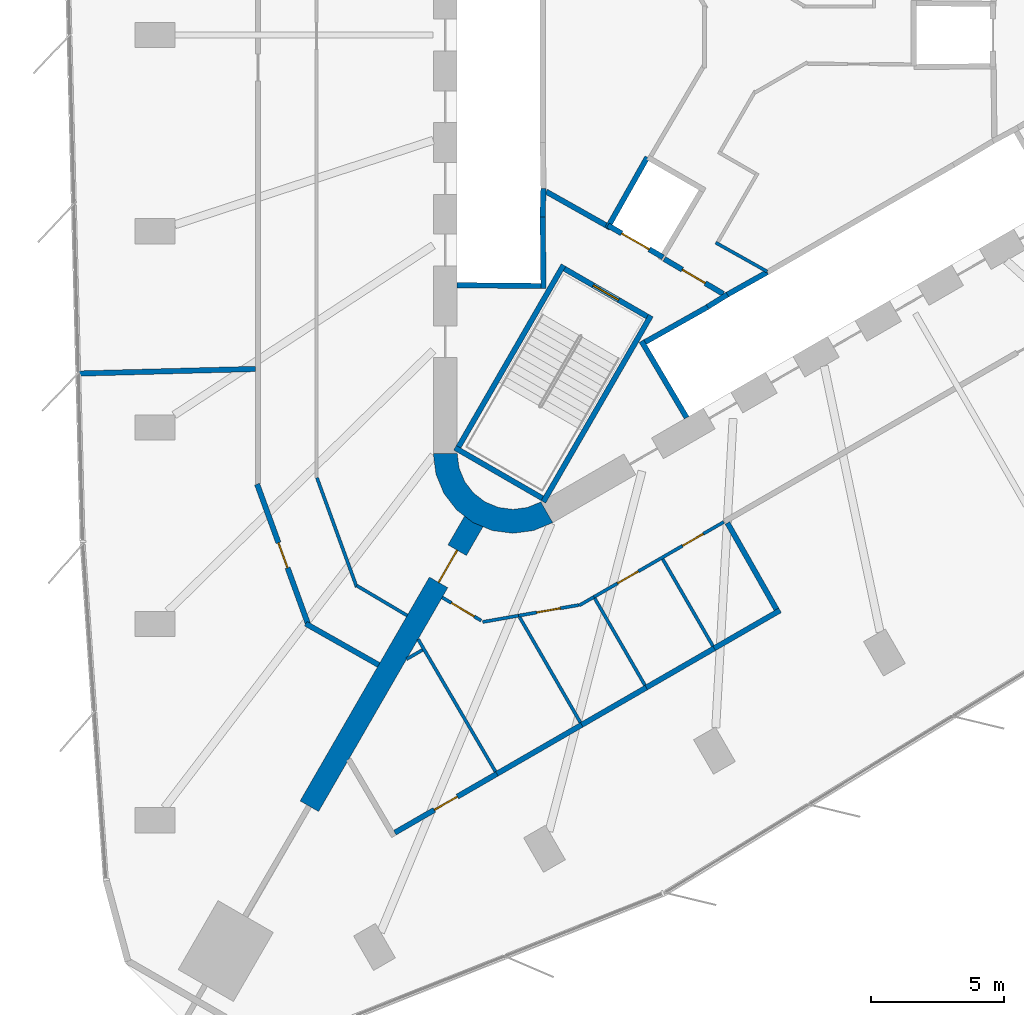
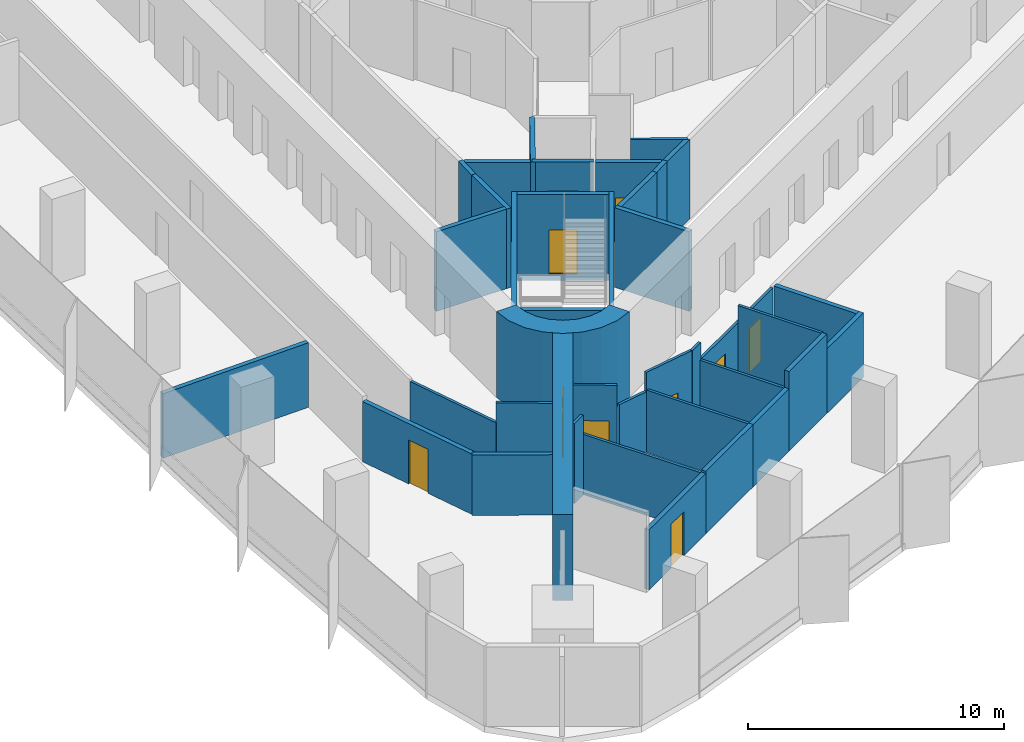
# One storey, part 8 of 14: 39 walls, 10 doors, 10 openings.
"""IFC4 building model written with IfcOpenShell, lengths in metres."""

import ifcopenshell
import ifcopenshell.guid

model = None  # the IFC model being written
_history = None  # IfcOwnerHistory: only IFC2X3 demands one
_inside = {}  # id of a spatial element -> (the spatial element, [elements in it])
_under = {}  # id of a project, library or spatial element -> (it, [spatial elements below it])
_declared = {}  # id of a project -> (the project, [libraries it declares])
_typed = {}  # id of a type object -> (the type object, [elements of that type])
_made_of = {}  # id of a material, layer set ... -> (it, [elements and type objects made of it])


def new_model(schema):
    """Start an empty IFC model of exactly this schema.

    Asked for "IFC4X3", IfcOpenShell would pick the latest addendum, in which some entities
    have other attributes; the version numbers below select the first issue.
    IFC2X3 requires an IfcOwnerHistory on every rooted entity: one is made here for all.
    """
    global model, _history
    if schema == "IFC4X3":
        model = ifcopenshell.file(schema_version=(4, 3, 0, 0))
    else:
        model = ifcopenshell.file(schema=schema)
    _inside.clear()
    _under.clear()
    _declared.clear()
    _typed.clear()
    _made_of.clear()
    _history = None
    if model.schema == "IFC2X3":
        org = make("IfcOrganization", Name="unknown")
        user = make(
            "IfcPersonAndOrganization",
            ThePerson=make("IfcPerson", FamilyName="unknown"),
            TheOrganization=org,
        )
        app = make(
            "IfcApplication",
            ApplicationDeveloper=org,
            Version="unknown",
            ApplicationFullName="unknown",
            ApplicationIdentifier="unknown",
        )
        _history = make(
            "IfcOwnerHistory",
            OwningUser=user,
            OwningApplication=app,
            ChangeAction="ADDED",
            CreationDate=0,
        )
    return model


def make(cls, **values):
    """One entity of the class cls with the attributes given. An attribute that is None is left unset."""
    return model.create_entity(
        cls, **{name: value for name, value in values.items() if value is not None}
    )


def rooted(cls, **values):
    """An entity with a GlobalId (a new one), such as an element, a storey or a relation."""
    return make(cls, GlobalId=ifcopenshell.guid.new(), OwnerHistory=_history, **values)


def si_unit(unit_type, name, prefix=None):
    """IfcSIUnit, for example si_unit("LENGTHUNIT", "METRE", prefix="MILLI")."""
    return make("IfcSIUnit", UnitType=unit_type, Prefix=prefix, Name=name)


def assignment(units):
    """IfcUnitAssignment: the units of a project."""
    return None if units is None else make("IfcUnitAssignment", Units=units)


def point(xyz):
    """IfcCartesianPoint."""
    return None if xyz is None else make("IfcCartesianPoint", Coordinates=xyz)


def direction(xyz):
    """IfcDirection."""
    return None if xyz is None else make("IfcDirection", DirectionRatios=xyz)


def frame(location, z_axis=None, x_axis=None):
    """IfcAxis2Placement3D, a coordinate frame: its origin and axes. An axis left out is left unset."""
    return make(
        "IfcAxis2Placement3D",
        Location=point(location),
        Axis=direction(z_axis),
        RefDirection=direction(x_axis),
    )


def frame_2d(location, x_axis=None):
    """IfcAxis2Placement2D, a coordinate frame in the plane: its origin and x axis."""
    return make(
        "IfcAxis2Placement2D", Location=point(location), RefDirection=direction(x_axis)
    )


def origin():
    """The frame at (0, 0, 0) with its axes left unset."""
    return frame((0.0, 0.0, 0.0))


def place(relative_to, where):
    """IfcLocalPlacement: puts the frame where relative to a parent placement (None: the world)."""
    return make(
        "IfcLocalPlacement", PlacementRelTo=relative_to, RelativePlacement=where
    )


def context(
    kind, dimensions, precision=None, world=None, true_north=None, identifier=None
):
    """IfcGeometricRepresentationContext, for example the 3D "Model" context."""
    return make(
        "IfcGeometricRepresentationContext",
        ContextIdentifier=identifier,
        ContextType=kind,
        CoordinateSpaceDimension=dimensions,
        Precision=precision,
        WorldCoordinateSystem=world,
        TrueNorth=true_north,
    )


def subcontext(parent, identifier, kind, view, scale=None):
    """IfcGeometricRepresentationSubContext, for example "Body" below "Model"."""
    return make(
        "IfcGeometricRepresentationSubContext",
        ContextIdentifier=identifier,
        ContextType=kind,
        ParentContext=parent,
        TargetScale=scale,
        TargetView=view,
    )


def project(units=None, contexts=None):
    """IfcProject with its units and contexts."""
    return rooted(
        "IfcProject",
        Name="project",
        RepresentationContexts=contexts,
        UnitsInContext=assignment(units),
    )


def spatial(cls, under=None, at=None, **own):
    """A site, building, storey or space (cls), placed at a placement, below another one or the project."""
    s = rooted(cls, ObjectPlacement=at, **own)
    if under is not None:
        _under.setdefault(under.id(), (under, []))[1].append(s)
    return s


def polyline(points):
    """IfcPolyline through the points."""
    return make("IfcPolyline", Points=[point(p) for p in points])


def profile(cls, at=None, kind="AREA", **sizes):
    """A parametric profile (cls). Its sizes go by their IFC names, for example OverallWidth=200.0."""
    return make(cls, ProfileType=kind, Position=at, **sizes)


def rectangle(**sizes):
    """IfcRectangleProfileDef."""
    return profile("IfcRectangleProfileDef", **sizes)


def outline(outer, holes=None, kind="AREA"):
    """IfcArbitraryClosedProfileDef: a profile drawn as a closed curve; with holes, ...WithVoids."""
    if holes is None:
        return make("IfcArbitraryClosedProfileDef", ProfileType=kind, OuterCurve=outer)
    return make(
        "IfcArbitraryProfileDefWithVoids",
        ProfileType=kind,
        OuterCurve=outer,
        InnerCurves=holes,
    )


def extrude(swept, where, along, depth):
    """IfcExtrudedAreaSolid: the profile swept, set in the frame where, extruded along a direction by depth."""
    return make(
        "IfcExtrudedAreaSolid",
        SweptArea=swept,
        Position=where,
        ExtrudedDirection=direction(along),
        Depth=depth,
    )


def shape(context_of_items, identifier, shape_type, items):
    """IfcShapeRepresentation: the items that make up one representation, for example the "Body"."""
    return make(
        "IfcShapeRepresentation",
        ContextOfItems=context_of_items,
        RepresentationIdentifier=identifier,
        RepresentationType=shape_type,
        Items=items,
    )


def material(Name=None, Category=None):
    """IfcMaterial."""
    return make("IfcMaterial", Name=Name, Category=Category)


def layer(
    of_material, thickness, ventilated=None, Name=None, Category=None, Priority=None
):
    """IfcMaterialLayer: one layer of a wall or slab, of a material (None: an air gap)."""
    return make(
        "IfcMaterialLayer",
        Material=of_material,
        LayerThickness=thickness,
        IsVentilated=ventilated,
        Name=Name,
        Category=Category,
        Priority=Priority,
    )


def layer_set(layers, Name=None):
    """IfcMaterialLayerSet."""
    return make("IfcMaterialLayerSet", MaterialLayers=layers, LayerSetName=Name)


def made_of(thing, what):
    """Note that an element or type object is made of a material, layer set ...; save() writes the relation."""
    if what is not None:
        _made_of.setdefault(what.id(), (what, []))[1].append(thing)
    return thing


def type_object(cls, material=None, **own):
    """A type object (cls), such as IfcWallType, which elements share."""
    return made_of(rooted(cls, **own), material)


def element(
    cls,
    number,
    at=None,
    inside=None,
    cuts=None,
    type_object=None,
    material=None,
    context=None,
    identifier="Body",
    shape_type=None,
    held_by="IfcProductDefinitionShape",
    body=None,
    shapes=None,
    **own,
):
    """One element of the class cls, such as IfcWall. Its Tag is "e" and its number.

    at: its placement. inside: the storey or other place that contains it. cuts: it is an
    opening in that element (IfcRelVoidsElement). A single representation is given by context,
    identifier, shape_type and body (its items); several are given by shapes. held_by: the class
    of the entity that holds the representations. save() writes the other relations.
    """
    e = rooted(cls, Tag="e%d" % number, ObjectPlacement=at, **own)
    if body is not None:
        shapes = [shape(context, identifier, shape_type, body)]
    if shapes is not None:
        e.Representation = make(held_by, Representations=shapes)
    if inside is not None:
        _inside.setdefault(inside.id(), (inside, []))[1].append(e)
    if cuts is not None:
        rooted(
            "IfcRelVoidsElement", RelatingBuildingElement=cuts, RelatedOpeningElement=e
        )
    if type_object is not None:
        _typed.setdefault(type_object.id(), (type_object, []))[1].append(e)
    return made_of(e, material)


def fill(opening, filler):
    """IfcRelFillsElement: the door or window that sits in an opening."""
    return rooted(
        "IfcRelFillsElement",
        RelatingOpeningElement=opening,
        RelatedBuildingElement=filler,
    )


def aggregate(whole, parts):
    """IfcRelAggregates: a whole, such as a stair, and the parts it consists of."""
    return rooted("IfcRelAggregates", RelatingObject=whole, RelatedObjects=parts)


def save(model, path):
    """Write the relations noted so far, then the file.

    IfcRelAggregates (storeys below a building ...), IfcRelContainedInSpatialStructure (elements
    in a storey), IfcRelDefinesByType, IfcRelAssociatesMaterial and IfcRelDeclares: one each for
    every whole, place, type object, material and project.
    """
    for whole, parts in _under.values():
        aggregate(whole, parts)
    for where, things in _inside.values():
        rooted(
            "IfcRelContainedInSpatialStructure",
            RelatedElements=things,
            RelatingStructure=where,
        )
    for kind, things in _typed.values():
        rooted("IfcRelDefinesByType", RelatedObjects=things, RelatingType=kind)
    for what, things in _made_of.values():
        rooted("IfcRelAssociatesMaterial", RelatedObjects=things, RelatingMaterial=what)
    for by, libraries in _declared.values():
        rooted("IfcRelDeclares", RelatingContext=by, RelatedDefinitions=libraries)
    model.write(path)


model = new_model("IFC4")

# Units and contexts
model_context = context("Model", 3, precision=1e-05, world=origin(), true_north=direction((0.0, 1.0)))
body_context = subcontext(model_context, "Body", "Model", "MODEL_VIEW")
ifc_project = project(units=[si_unit("LENGTHUNIT", "METRE"), si_unit("AREAUNIT", "SQUARE_METRE"), si_unit("VOLUMEUNIT", "CUBIC_METRE"), si_unit("PLANEANGLEUNIT", "RADIAN"), si_unit("MASSUNIT", "GRAM", prefix="KILO")], contexts=[model_context])

# Site, building, storey
site_placement = place(None, origin())
site = spatial("IfcSite", under=ifc_project, at=site_placement, CompositionType="ELEMENT")
building_placement = place(site_placement, origin())
building = spatial("IfcBuilding", under=site, at=building_placement, Name="Tanit Gate Tower", CompositionType="ELEMENT")
storey_placement = place(building_placement, frame((0.0, 0.0, 148.0)))
storey = spatial("IfcBuildingStorey", under=building, at=storey_placement, Name="L32", CompositionType="ELEMENT", Elevation=148.0)

# Wall, opening, door
ifc_material_1 = material(Name="Concrete C60/75", Category="concrete")
ifc_layer_1 = layer(ifc_material_1, 0.800048828125)
ifc_layer_set_1 = layer_set([ifc_layer_1], Name="BUTTRESS FIN 800 C60/75")
wall_type_1 = type_object("IfcWallType", Name="BUTTRESS FIN 800 C60/75", PredefinedType="SHEAR", material=ifc_layer_set_1)
wall_1_placement = place(storey_placement, frame((-10.574951171875, -18.31640625, 0.0), z_axis=(0.0, 0.0, 1.0), x_axis=(-0.500002326941, -0.86602406032, 0.0)))
wall_1 = element("IfcWall", 1, at=wall_1_placement, inside=storey, type_object=wall_type_1, Name="BUTTRESS FIN", PredefinedType="SHEAR", context=body_context, shape_type="SweptSolid", body=[
    extrude(rectangle(XDim=12.3837890625, YDim=0.800048828125, at=frame_2d((6.19189453125, 0.0))), origin(), (0.0, 0.0, 1.0), 4.10009765625),
])
opening_1_placement = place(wall_1_placement, frame((1.25, 0.0, 0.0)))
opening_1 = element("IfcOpeningElement", 2, at=opening_1_placement, cuts=wall_1, Name="Opening P14-S08-F-SW-1", PredefinedType="OPENING", context=body_context, shape_type="SweptSolid", body=[
    extrude(rectangle(XDim=1.39990234375, YDim=2.39990234375, at=frame_2d((0.699951171875, 1.199951171875))), frame((0.0, 0.41015625, 0.0), z_axis=(0.0, -1.0, 0.0), x_axis=(1.0, 0.0, 0.0)), (0.0, 0.0, 1.0), 0.820068359375),
])
ifc_material_2 = material(Name="Timber door leaf", Category="wood")
door_type_1 = type_object("IfcDoorType", Name="INT-DOOR-FIN-PAIR-1400", OperationType="NOTDEFINED", PredefinedType="NOTDEFINED", material=ifc_material_2)
door_1_placement = place(opening_1_placement, origin())
door_1 = element("IfcDoor", 3, at=door_1_placement, inside=storey, type_object=door_type_1, Name="Door P14-S08-F-SW-1", OperationType="DOUBLE_DOOR_SINGLE_SWING", OverallHeight=2.39990234375, OverallWidth=1.39990234375, PredefinedType="NOTDEFINED", context=body_context, shape_type="SweptSolid", body=[
    extrude(rectangle(XDim=1.39990234375, YDim=2.39990234375, at=frame_2d((0.699951171875, 1.199951171875))), frame((0.0, 0.02490234375, 0.0), z_axis=(0.0, -1.0, 0.0), x_axis=(1.0, 0.0, 0.0)), (0.0, 0.0, 1.0), 0.050048828125),
])
fill(opening_1, door_1)

# Walls
ifc_material_3 = material(Name="Concrete C60/75", Category="concrete")
ifc_layer_2 = layer(ifc_material_3, 0.89990234375)
ifc_layer_set_2 = layer_set([ifc_layer_2], Name="CORE WALL 900 C60/75")
wall_type_2 = type_object("IfcWallType", Name="CORE WALL 900 C60/75", PredefinedType="SHEAR", material=ifc_layer_set_2)
wall_2_placement = place(storey_placement, origin())
element("IfcWall", 4, at=wall_2_placement, inside=storey, type_object=wall_type_2, Name="CORE WALL CORNER", PredefinedType="SHEAR", context=body_context, shape_type="SweptSolid", body=[
    extrude(outline(polyline([(-12.10009765625, -15.76171875), (-11.997802734375, -16.5380859375), (-11.697998046875, -17.26171875), (-11.22119140625, -17.883056640625), (-10.60009765625, -18.359619140625), (-9.87646484375, -18.659423828125), (-9.10009765625, -18.76171875), (-8.323486328125, -18.659423828125), (-7.60009765625, -18.359619140625), (-8.050048828125, -17.580322265625), (-8.556396484375, -17.7900390625), (-9.10009765625, -17.86181640625), (-9.6435546875, -17.7900390625), (-10.14990234375, -17.580322265625), (-10.5849609375, -17.24658203125), (-10.918701171875, -16.811767578125), (-11.12841796875, -16.30517578125), (-11.199951171875, -15.76171875), (-12.10009765625, -15.76171875)])), origin(), (0.0, 0.0, 1.0), 4.10009765625),
])
ifc_material_4 = material(Name="Fire-rated gypsum board partition")
ifc_layer_3 = layer(ifc_material_4, 0.199951171875)
ifc_layer_set_3 = layer_set([ifc_layer_3], Name="INT-WALL-COMPARTMENT")
wall_type_3 = type_object("IfcWallType", Name="INT-WALL-COMPARTMENT", PredefinedType="PARTITIONING", material=ifc_layer_set_3)
wall_3_placement = place(storey_placement, frame((-7.84912109375, -5.893798828125, 0.0), z_axis=(0.0, 0.0, 1.0), x_axis=(0.871340486379, -0.490678873396, 0.0)))
element("IfcWall", 5, at=wall_3_placement, inside=storey, type_object=wall_type_3, Name="Wall Compartment W063", PredefinedType="PARTITIONING", context=body_context, shape_type="SweptSolid", body=[
    extrude(rectangle(XDim=2.580810546875, YDim=0.199951171875, at=frame_2d((1.29052734375, 0.0))), origin(), (0.0, 0.0, 1.0), 3.800048828125),
])

# Wall, opening, door
wall_4_placement = place(storey_placement, frame((-3.400634765625, -8.43017578125, 0.0), z_axis=(0.0, 0.0, 1.0), x_axis=(0.860598681535, -0.509283721849, 0.0)))
wall_4 = element("IfcWall", 6, at=wall_4_placement, inside=storey, type_object=wall_type_3, Name="Wall Compartment W064", PredefinedType="PARTITIONING", context=body_context, shape_type="SweptSolid", body=[
    extrude(rectangle(XDim=2.5810546875, YDim=0.199951171875, at=frame_2d((1.29052734375, 0.0))), origin(), (0.0, 0.0, 1.0), 3.800048828125),
])
opening_2_placement = place(wall_4_placement, frame((0.79052734375, 0.0, 0.0)))
opening_2 = element("IfcOpeningElement", 7, at=opening_2_placement, cuts=wall_4, Name="Opening F10-S08-08", PredefinedType="OPENING", context=body_context, shape_type="SweptSolid", body=[
    extrude(rectangle(XDim=1.0, YDim=2.10009765625, at=frame_2d((0.5, 1.050048828125))), frame((0.0, 0.10986328125, 0.0), z_axis=(0.0, -1.0, 0.0), x_axis=(1.0, 0.0, 0.0)), (0.0, 0.0, 1.0), 0.219970703125),
])
ifc_material_5 = material(Name="Fire-rated steel door leaf", Category="steel")
door_type_2 = type_object("IfcDoorType", Name="INT-DOOR-FIRE-1000", OperationType="NOTDEFINED", PredefinedType="USERDEFINED", material=ifc_material_5)
door_2_placement = place(opening_2_placement, origin())
door_2 = element("IfcDoor", 8, at=door_2_placement, inside=storey, type_object=door_type_2, Name="Door F10-S08-08", ObjectType="FIRE DOOR", OperationType="SINGLE_SWING_RIGHT", OverallHeight=2.10009765625, OverallWidth=1.0, PredefinedType="USERDEFINED", context=body_context, shape_type="SweptSolid", body=[
    extrude(rectangle(XDim=1.0, YDim=2.10009765625, at=frame_2d((0.5, 1.050048828125))), frame((0.0, 0.02490234375, 0.0), z_axis=(0.0, -1.0, 0.0), x_axis=(1.0, 0.0, 0.0)), (0.0, 0.0, 1.0), 0.050048828125),
])
fill(opening_2, door_2)

# Wall
wall_5_placement = place(storey_placement, frame((-16.902587890625, -22.16552734375, 0.0), z_axis=(0.0, 0.0, 1.0), x_axis=(0.870335069356, -0.492460015686, 0.0)))
element("IfcWall", 9, at=wall_5_placement, inside=storey, type_object=wall_type_3, Name="Wall Compartment W091", PredefinedType="PARTITIONING", context=body_context, shape_type="SweptSolid", body=[
    extrude(rectangle(XDim=3.155517578125, YDim=0.199951171875, at=frame_2d((1.57763671875, 0.0))), origin(), (0.0, 0.0, 1.0), 2.8798828125),
])

# Wall, opening, door
wall_6_placement = place(storey_placement, frame((-18.734130859375, -16.910888671875, 0.0), z_axis=(0.0, 0.0, 1.0), x_axis=(0.342022840992, -0.939691638911, 0.0)))
wall_6 = element("IfcWall", 10, at=wall_6_placement, inside=storey, type_object=wall_type_3, Name="Wall Compartment W092", PredefinedType="PARTITIONING", context=body_context, shape_type="SweptSolid", body=[
    extrude(rectangle(XDim=5.60498046875, YDim=0.199951171875, at=frame_2d((2.802490234375, 0.0))), origin(), (0.0, 0.0, 1.0), 2.8798828125),
])
opening_3_placement = place(wall_6_placement, frame((2.352294921875, 0.0, 0.0)))
opening_3 = element("IfcOpeningElement", 11, at=opening_3_placement, cuts=wall_6, Name="Opening F10-S08-25", PredefinedType="OPENING", context=body_context, shape_type="SweptSolid", body=[
    extrude(rectangle(XDim=1.0, YDim=2.10009765625, at=frame_2d((0.5, 1.050048828125))), frame((0.0, 0.10986328125, 0.0), z_axis=(0.0, -1.0, 0.0), x_axis=(1.0, 0.0, 0.0)), (0.0, 0.0, 1.0), 0.219970703125),
])
door_3_placement = place(opening_3_placement, origin())
door_3 = element("IfcDoor", 12, at=door_3_placement, inside=storey, type_object=door_type_2, Name="Door F10-S08-25", ObjectType="FIRE DOOR", OperationType="SINGLE_SWING_LEFT", OverallHeight=2.10009765625, OverallWidth=1.0, PredefinedType="USERDEFINED", context=body_context, shape_type="SweptSolid", body=[
    extrude(rectangle(XDim=1.0, YDim=2.10009765625, at=frame_2d((0.5, 1.050048828125))), frame((0.0, 0.02490234375, 0.0), z_axis=(0.0, -1.0, 0.0), x_axis=(1.0, 0.0, 0.0)), (0.0, 0.0, 1.0), 0.050048828125),
])
fill(opening_3, door_3)

# Walls
wall_7_placement = place(storey_placement, frame((-25.456787109375, -12.74609375, 0.0), z_axis=(0.0, 0.0, 1.0), x_axis=(0.999663993994, 0.025921016788, 0.0)))
element("IfcWall", 13, at=wall_7_placement, inside=storey, type_object=wall_type_3, Name="Wall Compartment W115", PredefinedType="PARTITIONING", context=body_context, shape_type="SweptSolid", body=[
    extrude(rectangle(XDim=6.658935546875, YDim=0.199951171875, at=frame_2d((3.32958984375, 0.0))), origin(), (0.0, 0.0, 1.0), 3.080078125),
])
wall_8_placement = place(storey_placement, frame((0.959716796875, -21.662353515625, 0.0), z_axis=(0.0, 0.0, 1.0), x_axis=(-0.866040716581, -0.499973476521, 0.0)))
element("IfcWall", 14, at=wall_8_placement, inside=storey, type_object=wall_type_3, Name="Wall Compartment W130", PredefinedType="PARTITIONING", context=body_context, shape_type="SweptSolid", body=[
    extrude(rectangle(XDim=2.862548828125, YDim=0.199951171875, at=frame_2d((1.43115234375, 0.0))), origin(), (0.0, 0.0, 1.0), 3.080078125),
])
wall_9_placement = place(storey_placement, frame((-1.519287109375, -23.093505859375, 0.0), z_axis=(0.0, 0.0, 1.0), x_axis=(-0.865987495984, -0.500065652488, 0.0)))
element("IfcWall", 15, at=wall_9_placement, inside=storey, type_object=wall_type_3, Name="Wall Compartment W132", PredefinedType="PARTITIONING", context=body_context, shape_type="SweptSolid", body=[
    extrude(rectangle(XDim=2.95556640625, YDim=0.199951171875, at=frame_2d((1.477783203125, 0.0))), origin(), (0.0, 0.0, 1.0), 3.800048828125),
])
wall_10_placement = place(storey_placement, frame((-4.078857421875, -24.571533203125, 0.0), z_axis=(0.0, 0.0, 1.0), x_axis=(-0.8660392398, -0.499976034552, 0.0)))
element("IfcWall", 16, at=wall_10_placement, inside=storey, type_object=wall_type_3, Name="Wall Compartment W133", PredefinedType="PARTITIONING", context=body_context, shape_type="SweptSolid", body=[
    extrude(rectangle(XDim=2.805908203125, YDim=0.199951171875, at=frame_2d((1.40283203125, 0.0))), origin(), (0.0, 0.0, 1.0), 2.97998046875),
])
wall_11_placement = place(storey_placement, frame((-6.5087890625, -25.974365234375, 0.0), z_axis=(0.0, 0.0, 1.0), x_axis=(-0.86602156466, -0.500006649499, 0.0)))
element("IfcWall", 17, at=wall_11_placement, inside=storey, type_object=wall_type_3, Name="Wall Compartment W134", PredefinedType="PARTITIONING", context=body_context, shape_type="SweptSolid", body=[
    extrude(rectangle(XDim=3.693359375, YDim=0.199951171875, at=frame_2d((1.8466796875, 0.0))), origin(), (0.0, 0.0, 1.0), 2.97998046875),
])

# Wall, opening, door
wall_12_placement = place(storey_placement, frame((-9.707275390625, -27.821044921875, 0.0), z_axis=(0.0, 0.0, 1.0), x_axis=(-0.866031500321, -0.49998944034, 0.0)))
wall_12 = element("IfcWall", 18, at=wall_12_placement, inside=storey, type_object=wall_type_3, Name="Wall Compartment W136", PredefinedType="PARTITIONING", context=body_context, shape_type="SweptSolid", body=[
    extrude(rectangle(XDim=4.4326171875, YDim=0.199951171875, at=frame_2d((2.21630859375, 0.0))), origin(), (0.0, 0.0, 1.0), 2.8798828125),
])
opening_4_placement = place(wall_12_placement, frame((1.71630859375, 0.0, 0.0)))
opening_4 = element("IfcOpeningElement", 19, at=opening_4_placement, cuts=wall_12, Name="Opening F10-S08-24", PredefinedType="OPENING", context=body_context, shape_type="SweptSolid", body=[
    extrude(rectangle(XDim=1.0, YDim=2.10009765625, at=frame_2d((0.5, 1.050048828125))), frame((0.0, 0.10986328125, 0.0), z_axis=(0.0, -1.0, 0.0), x_axis=(1.0, 0.0, 0.0)), (0.0, 0.0, 1.0), 0.219970703125),
])
door_4_placement = place(opening_4_placement, origin())
door_4 = element("IfcDoor", 20, at=door_4_placement, inside=storey, type_object=door_type_2, Name="Door F10-S08-24", ObjectType="FIRE DOOR", OperationType="SINGLE_SWING_LEFT", OverallHeight=2.10009765625, OverallWidth=1.0, PredefinedType="USERDEFINED", context=body_context, shape_type="SweptSolid", body=[
    extrude(rectangle(XDim=1.0, YDim=2.10009765625, at=frame_2d((0.5, 1.050048828125))), frame((0.0, 0.02490234375, 0.0), z_axis=(0.0, -1.0, 0.0), x_axis=(1.0, 0.0, 0.0)), (0.0, 0.0, 1.0), 0.050048828125),
])
fill(opening_4, door_4)

# Walls
wall_13_placement = place(storey_placement, frame((-1.021484375, -18.3720703125, 0.0), z_axis=(0.0, 0.0, 1.0), x_axis=(0.493366643235, -0.869821450266, 0.0)))
element("IfcWall", 21, at=wall_13_placement, inside=storey, type_object=wall_type_3, Name="Wall Compartment W131", PredefinedType="PARTITIONING", context=body_context, shape_type="SweptSolid", body=[
    extrude(rectangle(XDim=3.739990234375, YDim=0.199951171875, at=frame_2d((1.8701171875, 0.0))), origin(), (0.0, 0.0, 1.0), 3.080078125),
])
ifc_material_6 = material(Name="Gypsum board partition")
ifc_layer_4 = layer(ifc_material_6, 0.1201171875)
ifc_layer_set_4 = layer_set([ifc_layer_4], Name="INT-WALL-PARTITION")
wall_type_4 = type_object("IfcWallType", Name="INT-WALL-PARTITION", PredefinedType="PARTITIONING", material=ifc_layer_set_4)
wall_14_placement = place(storey_placement, frame((-1.464111328125, -7.81591796875, 0.0), z_axis=(0.0, 0.0, 1.0), x_axis=(0.871880202732, -0.489719217597, 0.0)))
element("IfcWall", 22, at=wall_14_placement, inside=storey, type_object=wall_type_4, Name="Wall Partition W068", PredefinedType="PARTITIONING", context=body_context, shape_type="SweptSolid", body=[
    extrude(rectangle(XDim=2.224365234375, YDim=0.1201171875, at=frame_2d((1.1123046875, 0.0))), origin(), (0.0, 0.0, 1.0), 3.800048828125),
])
wall_15_placement = place(storey_placement, frame((-16.4794921875, -16.67333984375, 0.0), z_axis=(0.0, 0.0, 1.0), x_axis=(0.342025144217, -0.939690800595, 0.0)))
element("IfcWall", 23, at=wall_15_placement, inside=storey, type_object=wall_type_4, Name="Wall Partition W089", PredefinedType="PARTITIONING", context=body_context, shape_type="SweptSolid", body=[
    extrude(rectangle(XDim=4.377685546875, YDim=0.1201171875, at=frame_2d((2.18896484375, 0.0))), origin(), (0.0, 0.0, 1.0), 2.8798828125),
])
wall_16_placement = place(storey_placement, frame((-14.9833984375, -20.732421875, 0.0), z_axis=(0.0, 0.0, 1.0), x_axis=(0.860268204019, -0.509841756973, 0.0)))
element("IfcWall", 24, at=wall_16_placement, inside=storey, type_object=wall_type_4, Name="Wall Partition W090", PredefinedType="PARTITIONING", context=body_context, shape_type="SweptSolid", body=[
    extrude(rectangle(XDim=2.2099609375, YDim=0.1201171875, at=frame_2d((1.10498046875, 0.0))), origin(), (0.0, 0.0, 1.0), 3.800048828125),
])
wall_17_placement = place(storey_placement, frame((-6.609375, -21.48291015625, 0.0), z_axis=(0.0, 0.0, 1.0), x_axis=(0.865865073245, 0.500277597875, 0.0)))
element("IfcWall", 25, at=wall_17_placement, inside=storey, type_object=wall_type_4, Name="Wall Partition W111", PredefinedType="PARTITIONING", context=body_context, shape_type="SweptSolid", body=[
    extrude(rectangle(XDim=0.647216796875, YDim=0.1201171875, at=frame_2d((0.32373046875, 0.0))), origin(), (0.0, 0.0, 1.0), 3.800048828125),
])

# Wall, openings, doors
wall_18_placement = place(storey_placement, frame((-6.049072265625, -21.1591796875, 0.0), z_axis=(0.0, 0.0, 1.0), x_axis=(0.866040189422, 0.499974389651, 0.0)))
wall_18 = element("IfcWall", 26, at=wall_18_placement, inside=storey, type_object=wall_type_4, Name="Wall Partition W110", PredefinedType="PARTITIONING", context=body_context, shape_type="SweptSolid", body=[
    extrude(rectangle(XDim=5.648193359375, YDim=0.1201171875, at=frame_2d((2.82421875, 0.0))), origin(), (0.0, 0.0, 1.0), 2.97998046875),
])
opening_5_placement = place(wall_18_placement, frame((3.85205078125, 0.0, 0.0)))
opening_5 = element("IfcOpeningElement", 27, at=opening_5_placement, cuts=wall_18, Name="Opening D09-S08-20", PredefinedType="OPENING", context=body_context, shape_type="SweptSolid", body=[
    extrude(rectangle(XDim=0.89990234375, YDim=2.10009765625, at=frame_2d((0.449951171875, 1.050048828125))), frame((0.0, 0.070068359375, 0.0), z_axis=(0.0, -1.0, 0.0), x_axis=(1.0, 0.0, 0.0)), (0.0, 0.0, 1.0), 0.14013671875),
])
opening_6_placement = place(wall_18_placement, frame((1.02783203125, 0.0, 0.0)))
opening_6 = element("IfcOpeningElement", 28, at=opening_6_placement, cuts=wall_18, Name="Opening D09-S08-21", PredefinedType="OPENING", context=body_context, shape_type="SweptSolid", body=[
    extrude(rectangle(XDim=0.89990234375, YDim=2.10009765625, at=frame_2d((0.449951171875, 1.050048828125))), frame((0.0, 0.070068359375, 0.0), z_axis=(0.0, -1.0, 0.0), x_axis=(1.0, 0.0, 0.0)), (0.0, 0.0, 1.0), 0.14013671875),
])
ifc_material_7 = material(Name="Timber door leaf", Category="wood")
door_type_3 = type_object("IfcDoorType", Name="INT-DOOR-SINGLE-900", OperationType="NOTDEFINED", PredefinedType="NOTDEFINED", material=ifc_material_7)
door_5_placement = place(opening_5_placement, origin())
door_5 = element("IfcDoor", 29, at=door_5_placement, inside=storey, type_object=door_type_3, Name="Door D09-S08-20", OperationType="SINGLE_SWING_RIGHT", OverallHeight=2.10009765625, OverallWidth=0.89990234375, PredefinedType="NOTDEFINED", context=body_context, shape_type="SweptSolid", body=[
    extrude(rectangle(XDim=0.89990234375, YDim=2.10009765625, at=frame_2d((0.449951171875, 1.050048828125))), frame((0.0, 0.02490234375, 0.0), z_axis=(0.0, -1.0, 0.0), x_axis=(1.0, 0.0, 0.0)), (0.0, 0.0, 1.0), 0.050048828125),
])
fill(opening_5, door_5)
door_6_placement = place(opening_6_placement, origin())
door_6 = element("IfcDoor", 30, at=door_6_placement, inside=storey, type_object=door_type_3, Name="Door D09-S08-21", OperationType="SINGLE_SWING_LEFT", OverallHeight=2.10009765625, OverallWidth=0.89990234375, PredefinedType="NOTDEFINED", context=body_context, shape_type="SweptSolid", body=[
    extrude(rectangle(XDim=0.89990234375, YDim=2.10009765625, at=frame_2d((0.449951171875, 1.050048828125))), frame((0.0, 0.02490234375, 0.0), z_axis=(0.0, -1.0, 0.0), x_axis=(1.0, 0.0, 0.0)), (0.0, 0.0, 1.0), 0.050048828125),
])
fill(opening_6, door_6)

# Wall
wall_19_placement = place(storey_placement, frame((-10.2392578125, -22.10205078125, 0.0), z_axis=(0.0, 0.0, 1.0), x_axis=(0.984801523662, 0.173683502361, 0.0)))
element("IfcWall", 31, at=wall_19_placement, inside=storey, type_object=wall_type_4, Name="Wall Partition W113", PredefinedType="PARTITIONING", context=body_context, shape_type="SweptSolid", body=[
    extrude(rectangle(XDim=1.36767578125, YDim=0.1201171875, at=frame_2d((0.683837890625, 0.0))), origin(), (0.0, 0.0, 1.0), 2.8798828125),
])

# Wall, opening, door
wall_20_placement = place(storey_placement, frame((-8.892333984375, -21.864501953125, 0.0), z_axis=(0.0, 0.0, 1.0), x_axis=(0.984802696179, 0.17367685395, 0.0)))
wall_20 = element("IfcWall", 32, at=wall_20_placement, inside=storey, type_object=wall_type_4, Name="Wall Partition W112", PredefinedType="PARTITIONING", context=body_context, shape_type="SweptSolid", body=[
    extrude(rectangle(XDim=2.31103515625, YDim=0.1201171875, at=frame_2d((1.155517578125, 0.0))), origin(), (0.0, 0.0, 1.0), 3.800048828125),
])
opening_7_placement = place(wall_20_placement, frame((0.70556640625, 0.0, 0.0)))
opening_7 = element("IfcOpeningElement", 33, at=opening_7_placement, cuts=wall_20, Name="Opening D09-S08-22", PredefinedType="OPENING", context=body_context, shape_type="SweptSolid", body=[
    extrude(rectangle(XDim=0.89990234375, YDim=2.10009765625, at=frame_2d((0.449951171875, 1.050048828125))), frame((0.0, 0.070068359375, 0.0), z_axis=(0.0, -1.0, 0.0), x_axis=(1.0, 0.0, 0.0)), (0.0, 0.0, 1.0), 0.14013671875),
])
door_7_placement = place(opening_7_placement, origin())
door_7 = element("IfcDoor", 34, at=door_7_placement, inside=storey, type_object=door_type_3, Name="Door D09-S08-22", OperationType="SINGLE_SWING_LEFT", OverallHeight=2.10009765625, OverallWidth=0.89990234375, PredefinedType="NOTDEFINED", context=body_context, shape_type="SweptSolid", body=[
    extrude(rectangle(XDim=0.89990234375, YDim=2.10009765625, at=frame_2d((0.449951171875, 1.050048828125))), frame((0.0, 0.02490234375, 0.0), z_axis=(0.0, -1.0, 0.0), x_axis=(1.0, 0.0, 0.0)), (0.0, 0.0, 1.0), 0.050048828125),
])
fill(opening_7, door_7)

wall_21_placement = place(storey_placement, frame((-11.764404296875, -21.176513671875, 0.0), z_axis=(0.0, 0.0, 1.0), x_axis=(0.859089516353, -0.511825363667, 0.0)))
wall_21 = element("IfcWall", 35, at=wall_21_placement, inside=storey, type_object=wall_type_4, Name="Wall Partition W114", PredefinedType="PARTITIONING", context=body_context, shape_type="SweptSolid", body=[
    extrude(rectangle(XDim=1.708984375, YDim=0.1201171875, at=frame_2d((0.8544921875, 0.0))), origin(), (0.0, 0.0, 1.0), 3.800048828125),
])
opening_8_placement = place(wall_21_placement, frame((0.404541015625, 0.0, 0.0)))
opening_8 = element("IfcOpeningElement", 36, at=opening_8_placement, cuts=wall_21, Name="Opening D10-S08-23", PredefinedType="OPENING", context=body_context, shape_type="SweptSolid", body=[
    extrude(rectangle(XDim=1.0, YDim=2.10009765625, at=frame_2d((0.5, 1.050048828125))), frame((0.0, 0.070068359375, 0.0), z_axis=(0.0, -1.0, 0.0), x_axis=(1.0, 0.0, 0.0)), (0.0, 0.0, 1.0), 0.14013671875),
])
ifc_material_8 = material(Name="Timber door leaf", Category="wood")
door_type_4 = type_object("IfcDoorType", Name="INT-DOOR-SINGLE-1000", OperationType="NOTDEFINED", PredefinedType="NOTDEFINED", material=ifc_material_8)
door_8_placement = place(opening_8_placement, origin())
door_8 = element("IfcDoor", 37, at=door_8_placement, inside=storey, type_object=door_type_4, Name="Door D10-S08-23", OperationType="SINGLE_SWING_RIGHT", OverallHeight=2.10009765625, OverallWidth=1.0, PredefinedType="NOTDEFINED", context=body_context, shape_type="SweptSolid", body=[
    extrude(rectangle(XDim=1.0, YDim=2.10009765625, at=frame_2d((0.5, 1.050048828125))), frame((0.0, 0.02490234375, 0.0), z_axis=(0.0, -1.0, 0.0), x_axis=(1.0, 0.0, 0.0)), (0.0, 0.0, 1.0), 0.050048828125),
])
fill(opening_8, door_8)

# Walls
wall_22_placement = place(storey_placement, frame((-1.5693359375, -23.007080078125, 0.0), z_axis=(0.0, 0.0, 1.0), x_axis=(-0.499966587594, 0.866044693586, 0.0)))
element("IfcWall", 38, at=wall_22_placement, inside=storey, type_object=wall_type_4, Name="Wall Partition W140", PredefinedType="PARTITIONING", context=body_context, shape_type="SweptSolid", body=[
    extrude(rectangle(XDim=3.780029296875, YDim=0.1201171875, at=frame_2d((1.89013671875, 0.0))), origin(), (0.0, 0.0, 1.0), 3.800048828125),
])
wall_23_placement = place(storey_placement, frame((-4.12890625, -24.48486328125, 0.0), z_axis=(0.0, 0.0, 1.0), x_axis=(-0.500015027522, 0.866016727467, 0.0)))
element("IfcWall", 39, at=wall_23_placement, inside=storey, type_object=wall_type_4, Name="Wall Partition W141", PredefinedType="PARTITIONING", context=body_context, shape_type="SweptSolid", body=[
    extrude(rectangle(XDim=3.7802734375, YDim=0.1201171875, at=frame_2d((1.89013671875, 0.0))), origin(), (0.0, 0.0, 1.0), 2.97998046875),
])
wall_24_placement = place(storey_placement, frame((-6.558837890625, -25.8876953125, 0.0), z_axis=(0.0, 0.0, 1.0), x_axis=(-0.499994486038, 0.866028587248, 0.0)))
element("IfcWall", 40, at=wall_24_placement, inside=storey, type_object=wall_type_4, Name="Wall Partition W142", PredefinedType="PARTITIONING", context=body_context, shape_type="SweptSolid", body=[
    extrude(rectangle(XDim=4.58349609375, YDim=0.1201171875, at=frame_2d((2.291748046875, 0.0))), origin(), (0.0, 0.0, 1.0), 2.97998046875),
])
wall_25_placement = place(storey_placement, frame((-12.672607421875, -22.74951171875, 0.0), z_axis=(0.0, 0.0, 1.0), x_axis=(0.504751362892, -0.863264769152, 0.0)))
element("IfcWall", 41, at=wall_25_placement, inside=storey, type_object=wall_type_4, Name="Wall Partition W143", PredefinedType="PARTITIONING", context=body_context, shape_type="SweptSolid", body=[
    extrude(rectangle(XDim=5.774658203125, YDim=0.1201171875, at=frame_2d((2.88720703125, 0.0))), origin(), (0.0, 0.0, 1.0), 2.8798828125),
])
wall_26_placement = place(storey_placement, frame((-12.505126953125, -23.15478515625, 0.0), z_axis=(0.0, 0.0, 1.0), x_axis=(-0.866138803259, -0.49980353489, 0.0)))
element("IfcWall", 42, at=wall_26_placement, inside=storey, type_object=wall_type_4, Name="Wall Partition W144", PredefinedType="PARTITIONING", context=body_context, shape_type="SweptSolid", body=[
    extrude(rectangle(XDim=0.695068359375, YDim=0.1201171875, at=frame_2d((0.34765625, 0.0))), origin(), (0.0, 0.0, 1.0), 3.800048828125),
])
ifc_material_9 = material(Name="Gypsum shaft wall system")
ifc_layer_5 = layer(ifc_material_9, 0.199951171875)
ifc_layer_set_5 = layer_set([ifc_layer_5], Name="INT-WALL-SHAFT")
wall_type_5 = type_object("IfcWallType", Name="INT-WALL-SHAFT", PredefinedType="PLUMBINGWALL", material=ifc_layer_set_5)
wall_27_placement = place(storey_placement, frame((-7.949951171875, -5.7724609375, 0.0), z_axis=(0.0, 0.0, 1.0), x_axis=(-0.030803413295, -0.999525462272, 0.0)))
element("IfcWall", 43, at=wall_27_placement, inside=storey, type_object=wall_type_5, Name="Wall Shaft W009", PredefinedType="PLUMBINGWALL", context=body_context, shape_type="SweptSolid", body=[
    extrude(rectangle(XDim=1.077880859375, YDim=0.199951171875, at=frame_2d((0.5390625, 0.0))), origin(), (0.0, 0.0, 1.0), 3.800048828125),
])
wall_28_placement = place(storey_placement, frame((-7.97900390625, -6.85009765625, 0.0), z_axis=(0.0, 0.0, 1.0), x_axis=(0.011121475088, -0.999938154483, 0.0)))
element("IfcWall", 44, at=wall_28_placement, inside=storey, type_object=wall_type_5, Name="Wall Shaft W011", PredefinedType="PLUMBINGWALL", context=body_context, shape_type="SweptSolid", body=[
    extrude(rectangle(XDim=2.7001953125, YDim=0.199951171875, at=frame_2d((1.35009765625, 0.0))), origin(), (0.0, 0.0, 1.0), 3.800048828125),
])
wall_29_placement = place(storey_placement, frame((-8.050048828125, -9.448974609375, 0.0), z_axis=(0.0, 0.0, 1.0), x_axis=(-0.999957467379, 0.009222983926, 0.0)))
element("IfcWall", 45, at=wall_29_placement, inside=storey, type_object=wall_type_5, Name="Wall Shaft W012", PredefinedType="PLUMBINGWALL", context=body_context, shape_type="SweptSolid", body=[
    extrude(rectangle(XDim=3.150146484375, YDim=0.199951171875, at=frame_2d((1.5751953125, 0.0))), origin(), (0.0, 0.0, 1.0), 3.800048828125),
])
wall_30_placement = place(storey_placement, frame((-2.557861328125, -14.409423828125, 0.0), z_axis=(0.0, 0.0, 1.0), x_axis=(-0.507997497166, 0.861358544901, 0.0)))
element("IfcWall", 46, at=wall_30_placement, inside=storey, type_object=wall_type_5, Name="Wall Shaft W027", PredefinedType="PLUMBINGWALL", context=body_context, shape_type="SweptSolid", body=[
    extrude(rectangle(XDim=3.350341796875, YDim=0.199951171875, at=frame_2d((1.67529296875, 0.0))), origin(), (0.0, 0.0, 1.0), 3.800048828125),
])
wall_31_placement = place(storey_placement, frame((-1.7685546875, -10.23681640625, 0.0), z_axis=(0.0, 0.0, 1.0), x_axis=(-0.871534483978, -0.490334215854, 0.0)))
element("IfcWall", 47, at=wall_31_placement, inside=storey, type_object=wall_type_5, Name="Wall Shaft W028", PredefinedType="PLUMBINGWALL", context=body_context, shape_type="SweptSolid", body=[
    extrude(rectangle(XDim=2.7001953125, YDim=0.199951171875, at=frame_2d((1.35009765625, 0.0))), origin(), (0.0, 0.0, 1.0), 3.800048828125),
])
wall_32_placement = place(storey_placement, frame((-1.02392578125, -9.77099609375, 0.0), z_axis=(0.0, 0.0, 1.0), x_axis=(-0.850348075135, -0.526220629693, 0.0)))
element("IfcWall", 48, at=wall_32_placement, inside=storey, type_object=wall_type_5, Name="Wall Shaft W029", PredefinedType="PLUMBINGWALL", context=body_context, shape_type="SweptSolid", body=[
    extrude(rectangle(XDim=0.878173828125, YDim=0.199951171875, at=frame_2d((0.43896484375, 0.0))), origin(), (0.0, 0.0, 1.0), 3.800048828125),
])
wall_33_placement = place(storey_placement, frame((-1.13037109375, -9.83154296875, 0.0), z_axis=(0.0, 0.0, 1.0), x_axis=(0.871988740738, 0.489525929882, 0.0)))
element("IfcWall", 49, at=wall_33_placement, inside=storey, type_object=wall_type_5, Name="Wall Shaft W030", PredefinedType="PLUMBINGWALL", context=body_context, shape_type="SweptSolid", body=[
    extrude(rectangle(XDim=1.8447265625, YDim=0.199951171875, at=frame_2d((0.92236328125, 0.0))), origin(), (0.0, 0.0, 1.0), 3.800048828125),
])

# Wall, opening, door
wall_34_placement = place(storey_placement, frame((-3.44580078125, -8.3681640625, 0.0), z_axis=(0.0, 0.0, 1.0), x_axis=(-0.866024647952, 0.500001309137, 0.0)))
wall_34 = element("IfcWall", 50, at=wall_34_placement, inside=storey, type_object=wall_type_5, Name="Wall Shaft W053", PredefinedType="PLUMBINGWALL", context=body_context, shape_type="SweptSolid", body=[
    extrude(rectangle(XDim=2.39990234375, YDim=0.199951171875, at=frame_2d((1.199951171875, 0.0))), origin(), (0.0, 0.0, 1.0), 3.800048828125),
])
opening_9_placement = place(wall_34_placement, frame((0.60009765625, 0.0, 0.0)))
opening_9 = element("IfcOpeningElement", 51, at=opening_9_placement, cuts=wall_34, Name="Opening LDFL3-L32", PredefinedType="OPENING", context=body_context, shape_type="SweptSolid", body=[
    extrude(rectangle(XDim=1.199951171875, YDim=2.39990234375, at=frame_2d((0.60009765625, 1.199951171875))), frame((0.0, 0.10986328125, 0.0), z_axis=(0.0, -1.0, 0.0), x_axis=(1.0, 0.0, 0.0)), (0.0, 0.0, 1.0), 0.219970703125),
])
ifc_material_10 = material(Name="Stainless steel sliding door leaf", Category="steel")
door_type_5 = type_object("IfcDoorType", Name="INT-DOOR-LANDING-1200", OperationType="NOTDEFINED", PredefinedType="USERDEFINED", material=ifc_material_10)
door_9_placement = place(opening_9_placement, origin())
door_9 = element("IfcDoor", 52, at=door_9_placement, inside=storey, type_object=door_type_5, Name="Door LDFL3-L32", ObjectType="LANDING DOOR", OperationType="SLIDING_TO_LEFT", OverallHeight=2.39990234375, OverallWidth=1.199951171875, PredefinedType="USERDEFINED", context=body_context, shape_type="SweptSolid", body=[
    extrude(rectangle(XDim=1.199951171875, YDim=2.39990234375, at=frame_2d((0.60009765625, 1.199951171875))), frame((0.0, 0.02490234375, 0.0), z_axis=(0.0, -1.0, 0.0), x_axis=(1.0, 0.0, 0.0)), (0.0, 0.0, 1.0), 0.050048828125),
])
fill(opening_9, door_9)

# Walls
wall_35_placement = place(storey_placement, frame((-5.5625, -7.29638671875, 0.0), z_axis=(0.0, 0.0, 1.0), x_axis=(0.491322718731, 0.870977603649, 0.0)))
element("IfcWall", 53, at=wall_35_placement, inside=storey, type_object=wall_type_5, Name="Wall Shaft W054", PredefinedType="PLUMBINGWALL", context=body_context, shape_type="SweptSolid", body=[
    extrude(rectangle(XDim=3.10009765625, YDim=0.199951171875, at=frame_2d((1.550048828125, 0.0))), origin(), (0.0, 0.0, 1.0), 3.800048828125),
])
ifc_material_11 = material(Name="Concrete C40/50", Category="concrete")
ifc_layer_6 = layer(ifc_material_11, 0.199951171875)
ifc_layer_set_6 = layer_set([ifc_layer_6], Name="INT-WALL-STAIR")
wall_type_6 = type_object("IfcWallType", Name="INT-WALL-STAIR", PredefinedType="SHEAR", material=ifc_layer_set_6)
wall_36_placement = place(storey_placement, frame((-3.904541015625, -10.56298828125, -0.300048828125), z_axis=(0.0, 0.0, 1.0), x_axis=(-0.500012932018, -0.866017937352, 0.0)))
element("IfcWall", 54, at=wall_36_placement, inside=storey, type_object=wall_type_6, Name="Wall Stair W049", PredefinedType="SHEAR", context=body_context, shape_type="SweptSolid", body=[
    extrude(rectangle(XDim=8.099853515625, YDim=0.199951171875, at=frame_2d((4.0498046875, 0.0))), origin(), (0.0, 0.0, 1.0), 4.10009765625),
])
wall_37_placement = place(storey_placement, frame((-11.281982421875, -15.541015625, -0.300048828125), z_axis=(0.0, 0.0, 1.0), x_axis=(0.866000483506, -0.500043160704, 0.0)))
element("IfcWall", 55, at=wall_37_placement, inside=storey, type_object=wall_type_6, Name="Wall Stair W050", PredefinedType="SHEAR", context=body_context, shape_type="SweptSolid", body=[
    extrude(rectangle(XDim=3.800048828125, YDim=0.199951171875, at=frame_2d((1.89990234375, 0.0))), origin(), (0.0, 0.0, 1.0), 4.10009765625),
])
wall_38_placement = place(storey_placement, frame((-7.195556640625, -8.662841796875, -0.300048828125), z_axis=(0.0, 0.0, 1.0), x_axis=(-0.499997992926, -0.866026562566, 0.0)))
element("IfcWall", 56, at=wall_38_placement, inside=storey, type_object=wall_type_6, Name="Wall Stair W051", PredefinedType="SHEAR", context=body_context, shape_type="SweptSolid", body=[
    extrude(rectangle(XDim=7.89990234375, YDim=0.199951171875, at=frame_2d((3.949951171875, 0.0))), origin(), (0.0, 0.0, 1.0), 4.10009765625),
])

# Wall, opening, door
wall_39_placement = place(storey_placement, frame((-4.041259765625, -10.599365234375, -0.300048828125), z_axis=(0.0, 0.0, 1.0), x_axis=(-0.866047807691, 0.499961193289, 0.0)))
wall_39 = element("IfcWall", 57, at=wall_39_placement, inside=storey, type_object=wall_type_6, Name="Wall Stair W052", PredefinedType="SHEAR", context=body_context, shape_type="SweptSolid", body=[
    extrude(rectangle(XDim=3.599853515625, YDim=0.199951171875, at=frame_2d((1.7998046875, 0.0))), origin(), (0.0, 0.0, 1.0), 4.10009765625),
])
opening_10_placement = place(wall_39_placement, frame((1.25, 0.0, 0.300048828125)))
opening_10 = element("IfcOpeningElement", 58, at=opening_10_placement, cuts=wall_39, Name="Opening S11-S08-07", PredefinedType="OPENING", context=body_context, shape_type="SweptSolid", body=[
    extrude(rectangle(XDim=1.10009765625, YDim=2.10009765625, at=frame_2d((0.550048828125, 1.050048828125))), frame((0.0, 0.10986328125, 0.0), z_axis=(0.0, -1.0, 0.0), x_axis=(1.0, 0.0, 0.0)), (0.0, 0.0, 1.0), 0.219970703125),
])
ifc_material_12 = material(Name="Timber door leaf", Category="wood")
door_type_6 = type_object("IfcDoorType", Name="INT-DOOR-STAIR-1100", OperationType="NOTDEFINED", PredefinedType="USERDEFINED", material=ifc_material_12)
door_10_placement = place(opening_10_placement, origin())
door_10 = element("IfcDoor", 59, at=door_10_placement, inside=storey, type_object=door_type_6, Name="Door S11-S08-07", ObjectType="FIRE DOOR", OperationType="SINGLE_SWING_RIGHT", OverallHeight=2.10009765625, OverallWidth=1.10009765625, PredefinedType="USERDEFINED", context=body_context, shape_type="SweptSolid", body=[
    extrude(rectangle(XDim=1.10009765625, YDim=2.10009765625, at=frame_2d((0.550048828125, 1.050048828125))), frame((0.0, 0.02490234375, 0.0), z_axis=(0.0, -1.0, 0.0), x_axis=(1.0, 0.0, 0.0)), (0.0, 0.0, 1.0), 0.050048828125),
])
fill(opening_10, door_10)

save(model, "model.ifc")
